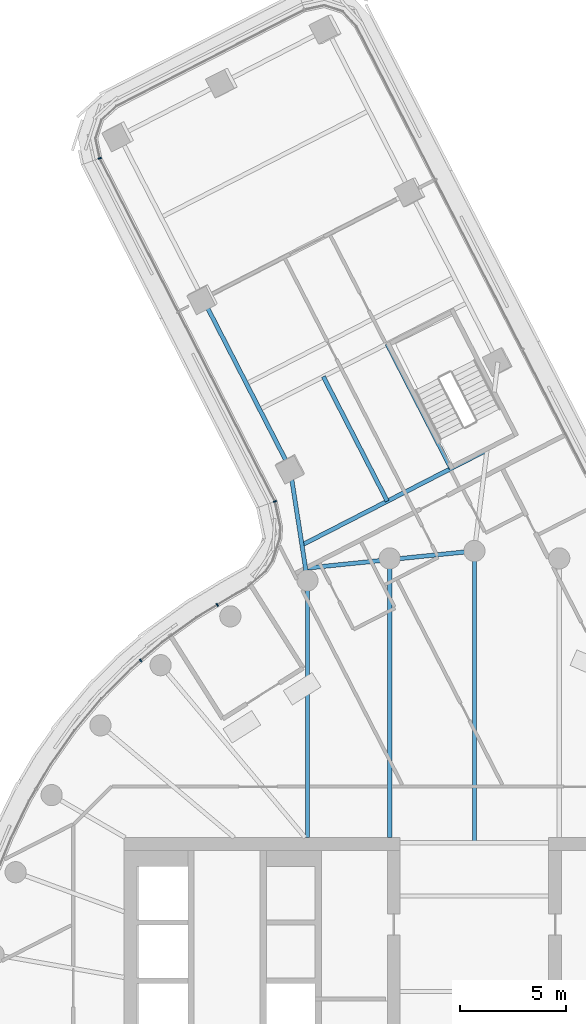
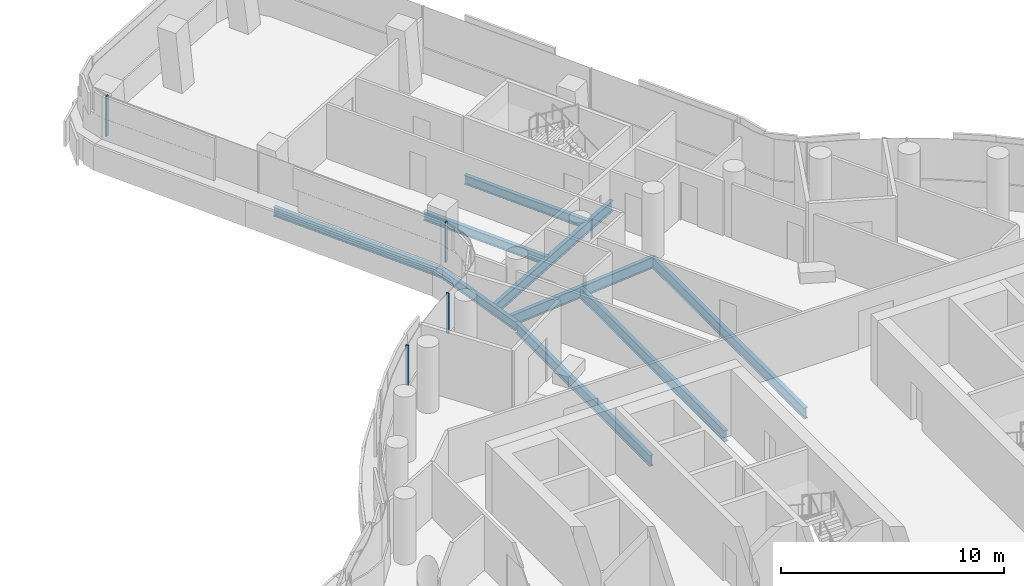
# One storey, part 15 of 37: 9 beams, 4 members, 2 elements without a shape of their own.
"""IFC4 building model written with IfcOpenShell, lengths in metres."""

from ifc_helpers import new_model, si_unit, direction, frame, origin, origin_2d, place, context, subcontext, project, spatial, rectangle, i_section, extrude, material, layer, layer_set, material_profile, profile_set, type_object, element, aggregate, save


model = new_model("IFC4")

# Units and contexts
model_context = context("Model", 3, precision=1e-05, world=origin(), true_north=direction((0.0, 1.0)))
body_context = subcontext(model_context, "Body", "Model", "MODEL_VIEW")
ifc_project = project(units=[si_unit("LENGTHUNIT", "METRE"), si_unit("AREAUNIT", "SQUARE_METRE"), si_unit("VOLUMEUNIT", "CUBIC_METRE"), si_unit("PLANEANGLEUNIT", "RADIAN"), si_unit("MASSUNIT", "GRAM", prefix="KILO")], contexts=[model_context])

# Site, building, storey
site_placement = place(None, origin())
site = spatial("IfcSite", under=ifc_project, at=site_placement, CompositionType="ELEMENT")
building_placement = place(site_placement, origin())
building = spatial("IfcBuilding", under=site, at=building_placement, Name="Tamarind Cross Interchange Tower", CompositionType="ELEMENT")
storey_placement = place(building_placement, frame((0.0, 0.0, 133.0)))
storey = spatial("IfcBuildingStorey", under=building, at=storey_placement, Name="L32", CompositionType="ELEMENT", Elevation=133.0)

# Beams
ifc_material_1 = material(Name="Steel Q355B", Category="steel")
ifc_material_profile_1 = material_profile(ifc_material_1, i_section(OverallWidth=0.198974609375, OverallDepth=0.49609375, WebThickness=0.009033203125, FlangeThickness=0.013916015625, FilletRadius=0.012939453125, at=origin_2d()), Name="HN 496x199x9x14")
ifc_profile_set_1 = profile_set([ifc_material_profile_1], Name="Steel Q355B")
beam_type_1 = type_object("IfcBeamType", Name="Composite beam HN 496x199x9x14 Q355B", PredefinedType="BEAM", material=ifc_profile_set_1)
beam_1_placement = place(storey_placement, frame((-12.791748046875, 34.880615234375, -0.387939453125), z_axis=(0.456574921122, -0.889684967504, 0.0), x_axis=(0.889684967504, 0.456574921122, 0.0)))
element("IfcBeam", 1, at=beam_1_placement, inside=storey, type_object=beam_type_1, Name="Beam N-edgeep3", PredefinedType="BEAM", context=body_context, shape_type="SweptSolid", body=[
    extrude(i_section(OverallWidth=0.198974609375, OverallDepth=0.49609375, WebThickness=0.009033203125, FlangeThickness=0.013916015625, FilletRadius=0.012939453125, at=origin_2d()), origin(), (0.0, 0.0, 1.0), 9.0),
])
beam_2_placement = place(storey_placement, frame((-8.6826171875, 26.87353515625, -0.387939453125), z_axis=(0.153314938206, -0.988177377662, 0.0), x_axis=(0.988177377662, 0.153314938206, 0.0)))
element("IfcBeam", 2, at=beam_2_placement, inside=storey, type_object=beam_type_1, Name="Beam N-linkep", PredefinedType="BEAM", context=body_context, shape_type="SweptSolid", body=[
    extrude(i_section(OverallWidth=0.198974609375, OverallDepth=0.49609375, WebThickness=0.009033203125, FlangeThickness=0.013916015625, FilletRadius=0.012939453125, at=origin_2d()), origin(), (0.0, 0.0, 1.0), 5.323486328125),
])
beam_3_placement = place(storey_placement, frame((-1.10205078125, 26.8857421875, -0.387939453125), z_axis=(-0.456569706623, 0.889687643499, 0.0), x_axis=(-0.889687643499, -0.456569706623, 0.0)))
element("IfcBeam", 3, at=beam_3_placement, inside=storey, type_object=beam_type_1, Name="Beam N-tr1", PredefinedType="BEAM", context=body_context, shape_type="SweptSolid", body=[
    extrude(i_section(OverallWidth=0.198974609375, OverallDepth=0.49609375, WebThickness=0.009033203125, FlangeThickness=0.013916015625, FilletRadius=0.012939453125, at=origin_2d()), origin(), (0.0, 0.0, 1.0), 6.60009765625),
])
beam_4_placement = place(storey_placement, frame((-4.10498046875, 25.344970703125, -0.387939453125), z_axis=(-0.456555452073, 0.889694958501, 0.0), x_axis=(-0.889694958501, -0.456555452073, 0.0)))
element("IfcBeam", 4, at=beam_4_placement, inside=storey, type_object=beam_type_1, Name="Beam N-stripp", PredefinedType="BEAM", context=body_context, shape_type="SweptSolid", body=[
    extrude(i_section(OverallWidth=0.198974609375, OverallDepth=0.49609375, WebThickness=0.009033203125, FlangeThickness=0.013916015625, FilletRadius=0.012939453125, at=origin_2d()), origin(), (0.0, 0.0, 1.0), 6.599853515625),
])
ifc_material_profile_2 = material_profile(ifc_material_1, i_section(OverallWidth=0.198974609375, OverallDepth=0.595947265625, WebThickness=0.010009765625, FlangeThickness=0.014892578125, FilletRadius=0.012939453125, at=origin_2d()), Name="HN 596x199x10x15")
ifc_profile_set_2 = profile_set([ifc_material_profile_2], Name="Steel Q355B")
beam_type_2 = type_object("IfcBeamType", Name="Composite beam HN 596x199x10x15 Q355B", PredefinedType="BEAM", material=ifc_profile_set_2)
beam_5_placement = place(storey_placement, frame((0.0, 23.0, -0.43798828125), z_axis=(0.0, -1.0, 0.0), x_axis=(1.0, 0.0, 0.0)))
element("IfcBeam", 5, at=beam_5_placement, inside=storey, type_object=beam_type_2, Name="Beam HH09", PredefinedType="BEAM", context=body_context, shape_type="SweptSolid", body=[
    extrude(i_section(OverallWidth=0.198974609375, OverallDepth=0.595947265625, WebThickness=0.010009765625, FlangeThickness=0.014892578125, FilletRadius=0.012939453125, at=origin_2d()), origin(), (0.0, 0.0, 1.0), 13.75),
])
beam_6_placement = place(storey_placement, frame((-3.993896484375, 22.650634765625, -0.43798828125), z_axis=(0.0, -1.0, 0.0), x_axis=(1.0, 0.0, 0.0)))
element("IfcBeam", 6, at=beam_6_placement, inside=storey, type_object=beam_type_2, Name="Beam HH10", PredefinedType="BEAM", context=body_context, shape_type="SweptSolid", body=[
    extrude(i_section(OverallWidth=0.198974609375, OverallDepth=0.595947265625, WebThickness=0.010009765625, FlangeThickness=0.014892578125, FilletRadius=0.012939453125, at=origin_2d()), origin(), (0.0, 0.0, 1.0), 13.150634765625),
])
beam_7_placement = place(storey_placement, frame((-7.866455078125, 21.613037109375, -0.43798828125), z_axis=(0.0, -1.0, 0.0), x_axis=(1.0, 0.0, 0.0)))
element("IfcBeam", 7, at=beam_7_placement, inside=storey, type_object=beam_type_2, Name="Beam HH11", PredefinedType="BEAM", context=body_context, shape_type="SweptSolid", body=[
    extrude(i_section(OverallWidth=0.198974609375, OverallDepth=0.595947265625, WebThickness=0.010009765625, FlangeThickness=0.014892578125, FilletRadius=0.012939453125, at=origin_2d()), origin(), (0.0, 0.0, 1.0), 12.113037109375),
])
ifc_material_profile_3 = material_profile(ifc_material_1, i_section(OverallWidth=0.199951171875, OverallDepth=0.60009765625, WebThickness=0.010986328125, FlangeThickness=0.01708984375, FilletRadius=0.012939453125, at=origin_2d()), Name="HN 600x200x11x17")
ifc_profile_set_3 = profile_set([ifc_material_profile_3], Name="Steel Q355B")
beam_type_3 = type_object("IfcBeamType", Name="Composite beam HN 600x200x11x17 Q355B", PredefinedType="BEAM", material=ifc_profile_set_3)
beam_8_placement = place(storey_placement, frame((0.590087890625, 27.754150390625, -0.43994140625), z_axis=(-0.889697816033, -0.456549883524, 0.0), x_axis=(0.456549883524, -0.889697816033, 0.0)))
element("IfcBeam", 8, at=beam_8_placement, inside=storey, type_object=beam_type_3, Name="Beam N-x268", PredefinedType="BEAM", context=body_context, shape_type="SweptSolid", body=[
    extrude(i_section(OverallWidth=0.199951171875, OverallDepth=0.60009765625, WebThickness=0.010986328125, FlangeThickness=0.01708984375, FilletRadius=0.012939453125, at=origin_2d()), origin(), (0.0, 0.0, 1.0), 9.796142578125),
])
beam_9_placement = place(storey_placement, frame((0.0, 23.0, -0.43994140625), z_axis=(-0.994837854133, -0.101477307734, 0.0), x_axis=(0.101477307734, -0.994837854133, 0.0)))
element("IfcBeam", 9, at=beam_9_placement, inside=storey, type_object=beam_type_3, Name="Beam N-x258", PredefinedType="BEAM", context=body_context, shape_type="SweptSolid", body=[
    extrude(i_section(OverallWidth=0.199951171875, OverallDepth=0.60009765625, WebThickness=0.010986328125, FlangeThickness=0.01708984375, FilletRadius=0.012939453125, at=origin_2d()), origin(), (0.0, 0.0, 1.0), 7.9970703125),
])

# Curtain wall, member
ifc_material_2 = material(Name="Aluminium 6063-T6", Category="aluminium")
ifc_layer_1 = layer(ifc_material_2, 0.159912109375)
ifc_layer_set_1 = layer_set([ifc_layer_1], Name="Aluminium 6063-T6")
curtain_wall_type_1 = type_object("IfcCurtainWallType", Name="Office curtain wall, 9.0 m bays", PredefinedType="NOTDEFINED", material=ifc_layer_set_1)
curtain_wall_1_placement = place(storey_placement, origin())
curtain_wall_1 = element("IfcCurtainWall", 10, at=curtain_wall_1_placement, inside=storey, type_object=curtain_wall_type_1, Name="CWS-L32-13", PredefinedType="NOTDEFINED")
ifc_material_profile_4 = material_profile(ifc_material_2, rectangle(XDim=0.06005859375, YDim=0.159912109375, at=origin_2d()), Name="Mullion CW1")
ifc_profile_set_4 = profile_set([ifc_material_profile_4], Name="Aluminium 6063-T6")
member_type_1 = type_object("IfcMemberType", Name="Mullion CW1", PredefinedType="MULLION", material=ifc_profile_set_4)
member_1_placement = place(storey_placement, frame((-17.64892578125, 41.49853515625, 1.39990234375), z_axis=(0.0, 0.0, 1.0), x_axis=(0.335614825807, -0.94199930398, 0.0)))
member_1 = element("IfcMember", 11, at=member_1_placement, type_object=member_type_1, Name="CWM-L32-13-00", PredefinedType="MULLION", context=body_context, shape_type="SweptSolid", body=[
    extrude(rectangle(XDim=0.06005859375, YDim=0.159912109375, at=origin_2d()), origin(), (0.0, 0.0, 1.0), 2.210205078125),
])
aggregate(curtain_wall_1, [member_1])

# Curtain wall, members
ifc_layer_2 = layer(ifc_material_2, 0.14990234375)
ifc_layer_set_2 = layer_set([ifc_layer_2], Name="Aluminium 6063-T6")
curtain_wall_type_2 = type_object("IfcCurtainWallType", Name="Winter garden and crown curtain wall", PredefinedType="NOTDEFINED", material=ifc_layer_set_2)
curtain_wall_2_placement = place(storey_placement, origin())
curtain_wall_2 = element("IfcCurtainWall", 12, at=curtain_wall_2_placement, inside=storey, type_object=curtain_wall_type_2, Name="CWS-L32-14", PredefinedType="NOTDEFINED")
ifc_material_profile_5 = material_profile(ifc_material_2, rectangle(XDim=0.06005859375, YDim=0.14990234375, at=origin_2d()), Name="Mullion CW6")
ifc_profile_set_5 = profile_set([ifc_material_profile_5], Name="Aluminium 6063-T6")
member_type_2 = type_object("IfcMemberType", Name="Mullion CW6", PredefinedType="MULLION", material=ifc_profile_set_5)
member_2_placement = place(storey_placement, frame((-9.393310546875, 25.334716796875, 1.39990234375), z_axis=(0.0, 0.0, 1.0), x_axis=(0.334090624951, -0.942540956309, 0.0)))
member_2 = element("IfcMember", 13, at=member_2_placement, type_object=member_type_2, Name="CWM-L32-14-00", PredefinedType="MULLION", context=body_context, shape_type="SweptSolid", body=[
    extrude(rectangle(XDim=0.06005859375, YDim=0.14990234375, at=origin_2d()), origin(), (0.0, 0.0, 1.0), 2.210205078125),
])
member_3_placement = place(storey_placement, frame((-12.11328125, 20.458984375, 1.39990234375), z_axis=(0.0, 0.0, 1.0), x_axis=(-0.856843065292, -0.515577308909, 0.0)))
member_3 = element("IfcMember", 14, at=member_3_placement, type_object=member_type_2, Name="CWM-L32-14-01", PredefinedType="MULLION", context=body_context, shape_type="SweptSolid", body=[
    extrude(rectangle(XDim=0.06005859375, YDim=0.14990234375, at=origin_2d()), origin(), (0.0, 0.0, 1.0), 2.210205078125),
])
member_4_placement = place(storey_placement, frame((-15.7236328125, 17.83740234375, 1.39990234375), z_axis=(0.0, 0.0, 1.0), x_axis=(-0.760295606781, -0.64957723968, 0.0)))
member_4 = element("IfcMember", 15, at=member_4_placement, type_object=member_type_2, Name="CWM-L32-14-02", PredefinedType="MULLION", context=body_context, shape_type="SweptSolid", body=[
    extrude(rectangle(XDim=0.06005859375, YDim=0.14990234375, at=origin_2d()), origin(), (0.0, 0.0, 1.0), 2.210205078125),
])
aggregate(curtain_wall_2, [member_2, member_3, member_4])

save(model, "model.ifc")
